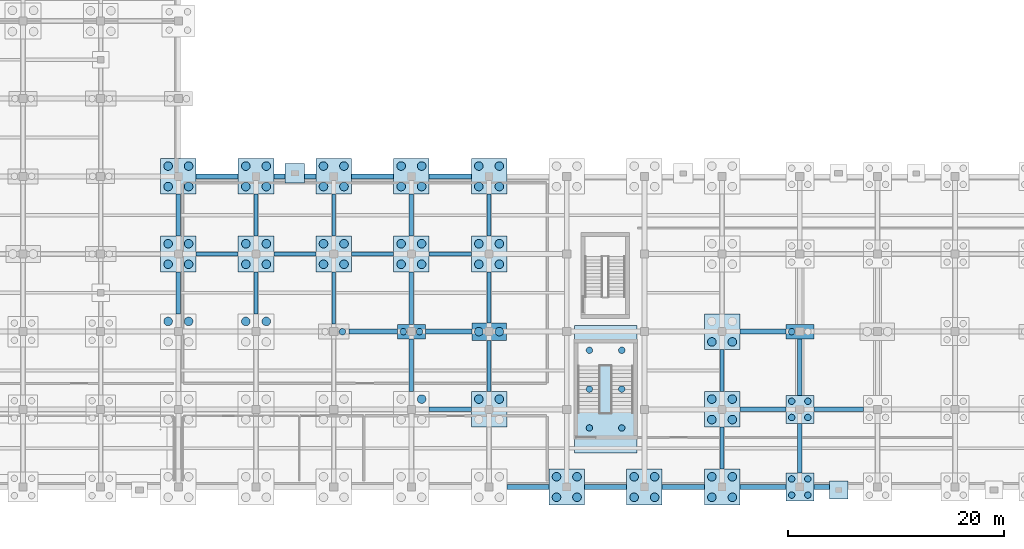
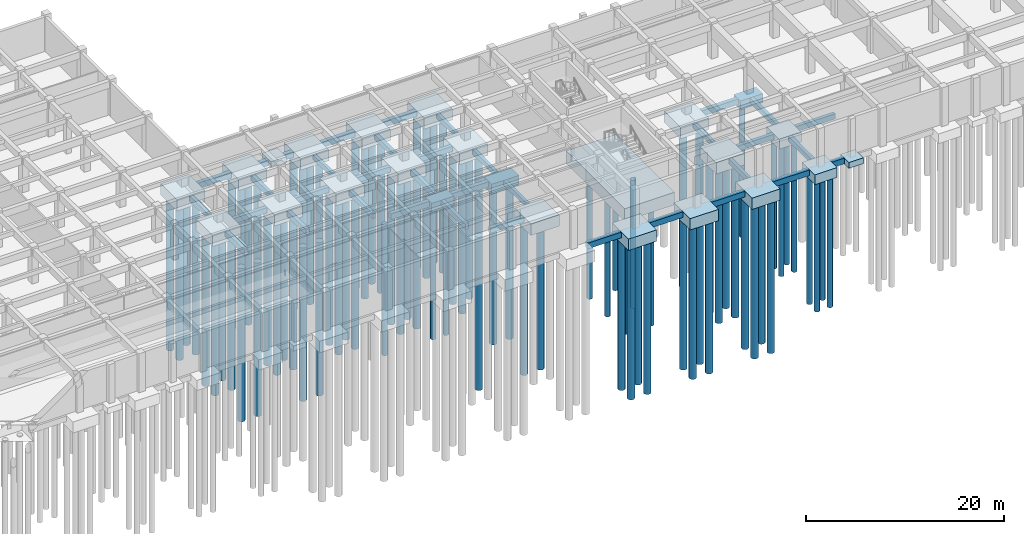
# One storey, part 5 of 28: 85 piles, 60 footings.
"""IFC4 building model written with IfcOpenShell, lengths in metres."""

from ifc_helpers import new_model, si_unit, direction, frame, origin, origin_2d, place, context, subcontext, project, spatial, rectangle, circle, extrude, material, material_profile, profile_set, type_object, element, save


model = new_model("IFC4")

# Units and contexts
model_context = context("Model", 3, precision=1e-05, world=origin(), true_north=direction((0.0, 1.0)))
body_context = subcontext(model_context, "Body", "Model", "MODEL_VIEW")
ifc_project = project(units=[si_unit("LENGTHUNIT", "METRE"), si_unit("AREAUNIT", "SQUARE_METRE"), si_unit("VOLUMEUNIT", "CUBIC_METRE"), si_unit("PLANEANGLEUNIT", "RADIAN"), si_unit("MASSUNIT", "GRAM", prefix="KILO")], contexts=[model_context])

# Site, building, storey
site_placement = place(None, origin())
site = spatial("IfcSite", under=ifc_project, at=site_placement, CompositionType="ELEMENT")
building_placement = place(site_placement, origin())
building = spatial("IfcBuilding", under=site, at=building_placement, Name="Alvorim Cloister Faculty of Sciences", CompositionType="ELEMENT")
storey_placement = place(building_placement, frame((0.0, 0.0, -4.5)))
storey = spatial("IfcBuildingStorey", under=building, at=storey_placement, Name="B01", CompositionType="ELEMENT", Elevation=-4.5)

# Footings
ifc_material_1 = material(Name="Concrete C40", Category="concrete")
footing_type_1 = type_object("IfcFootingType", Name="FT-PAD-1700x1700x720", PredefinedType="PAD_FOOTING", material=ifc_material_1)
footing_1_placement = place(storey_placement, frame((126.0, -0.280029296875, -1.0), z_axis=(0.0, 0.0, 1.0), x_axis=(1.0, 0.0, 0.0)))
element("IfcFooting", 1, at=footing_1_placement, inside=storey, type_object=footing_type_1, Name="Buttress Pad Footing FT-0522", PredefinedType="PAD_FOOTING", context=body_context, shape_type="SweptSolid", body=[
    extrude(rectangle(XDim=1.699951171875, YDim=1.699951171875, at=origin_2d()), origin(), (0.0, 0.0, 1.0), 0.719970703125),
])
footing_type_2 = type_object("IfcFootingType", Name="FT-PAD-1800x1800x750", PredefinedType="PAD_FOOTING", material=ifc_material_1)
footing_2_placement = place(storey_placement, frame((75.60009765625, 29.080078125, -1.050048828125), z_axis=(0.0, 0.0, 1.0), x_axis=(1.0, 0.0, 0.0)))
element("IfcFooting", 2, at=footing_2_placement, inside=storey, type_object=footing_type_2, Name="Buttress Pad Footing FT-0525", PredefinedType="PAD_FOOTING", context=body_context, shape_type="SweptSolid", body=[
    extrude(rectangle(XDim=1.800048828125, YDim=1.800048828125, at=origin_2d()), origin(), (0.0, 0.0, 1.0), 0.75),
])
footing_type_3 = type_object("IfcFootingType", Name="FT-PC-2600x1350x1100", PredefinedType="PILE_CAP", material=ifc_material_1)
for number, where, z_axis, x_axis, name in (
    (3, (86.39990234375, 14.39990234375, -1.400146484375), (0.0, 0.0, 1.0), (1.0, 0.0, 0.0), "B01 Pile Cap FT-0142"),
    (4, (122.39990234375, 14.39990234375, -1.380126953125), (0.0, 0.0, 1.0), (1.0, 0.0, 0.0), "B01 Pile Cap FT-0167"),
):
    element("IfcFooting", number, at=place(storey_placement, frame(where, z_axis=z_axis, x_axis=x_axis)), inside=storey, type_object=footing_type_3, Name=name, PredefinedType="PILE_CAP", context=body_context, shape_type="SweptSolid", body=[
        extrude(rectangle(XDim=2.60009765625, YDim=1.35009765625, at=origin_2d()), origin(), (0.0, 0.0, 1.0), 1.10009765625),
    ])
footing_type_4 = type_object("IfcFootingType", Name="FT-PC-2600x2600x1200", PredefinedType="PILE_CAP", material=ifc_material_1)
for number, where, z_axis, x_axis, name in (
    (5, (122.39990234375, 0.0, -1.47998046875), (0.0, 0.0, 1.0), (1.0, 0.0, 0.0), "B01 Pile Cap FT-0165"),
    (6, (122.39990234375, 7.199951171875, -1.47998046875), (0.0, 0.0, 1.0), (1.0, 0.0, 0.0), "B01 Pile Cap FT-0166"),
):
    element("IfcFooting", number, at=place(storey_placement, frame(where, z_axis=z_axis, x_axis=x_axis)), inside=storey, type_object=footing_type_4, Name=name, PredefinedType="PILE_CAP", context=body_context, shape_type="SweptSolid", body=[
        extrude(rectangle(XDim=2.60009765625, YDim=2.60009765625, at=origin_2d()), origin(), (0.0, 0.0, 1.0), 1.199951171875),
    ])
footing_type_5 = type_object("IfcFootingType", Name="FT-PC-3200x1600x1200", PredefinedType="PILE_CAP", material=ifc_material_1)
footing_3_placement = place(storey_placement, frame((93.60009765625, 14.39990234375, -1.5), z_axis=(0.0, 0.0, 1.0), x_axis=(1.0, 0.0, 0.0)))
element("IfcFooting", 7, at=footing_3_placement, inside=storey, type_object=footing_type_5, Name="B01 Pile Cap FT-0147", PredefinedType="PILE_CAP", context=body_context, shape_type="SweptSolid", body=[
    extrude(rectangle(XDim=3.199951171875, YDim=1.60009765625, at=origin_2d()), origin(), (0.0, 0.0, 1.0), 1.199951171875),
])
footing_type_6 = type_object("IfcFootingType", Name="FT-PC-3300x3300x1400", PredefinedType="PILE_CAP", material=ifc_material_1)
for number, where, z_axis, x_axis, name in (
    (8, (64.800048828125, 21.60009765625, -1.699951171875), (0.0, 0.0, 1.0), (1.0, 0.0, 0.0), "B01 Pile Cap FT-0124"),
    (9, (64.800048828125, 28.800048828125, -1.699951171875), (0.0, 0.0, 1.0), (1.0, 0.0, 0.0), "B01 Pile Cap FT-0125"),
    (10, (72.0, 21.60009765625, -1.699951171875), (0.0, 0.0, 1.0), (1.0, 0.0, 0.0), "B01 Pile Cap FT-0133"),
    (11, (72.0, 28.800048828125, -1.699951171875), (0.0, 0.0, 1.0), (1.0, 0.0, 0.0), "B01 Pile Cap FT-0134"),
    (12, (79.199951171875, 21.60009765625, -1.699951171875), (0.0, 0.0, 1.0), (1.0, 0.0, 0.0), "B01 Pile Cap FT-0138"),
    (13, (79.199951171875, 28.800048828125, -1.699951171875), (0.0, 0.0, 1.0), (1.0, 0.0, 0.0), "B01 Pile Cap FT-0139"),
    (14, (86.39990234375, 21.60009765625, -1.699951171875), (0.0, 0.0, 1.0), (1.0, 0.0, 0.0), "B01 Pile Cap FT-0143"),
    (15, (86.39990234375, 28.800048828125, -1.699951171875), (0.0, 0.0, 1.0), (1.0, 0.0, 0.0), "B01 Pile Cap FT-0144"),
    (16, (93.60009765625, 7.199951171875, -1.699951171875), (0.0, 0.0, 1.0), (1.0, 0.0, 0.0), "B01 Pile Cap FT-0146"),
    (17, (93.60009765625, 21.60009765625, -1.699951171875), (0.0, 0.0, 1.0), (1.0, 0.0, 0.0), "B01 Pile Cap FT-0148"),
    (18, (93.60009765625, 28.800048828125, -1.699951171875), (0.0, 0.0, 1.0), (1.0, 0.0, 0.0), "B01 Pile Cap FT-0149"),
    (19, (100.800048828125, 0.0, -1.699951171875), (0.0, 0.0, 1.0), (1.0, 0.0, 0.0), "B01 Pile Cap FT-0150"),
    (20, (108.0, 0.0, -1.699951171875), (0.0, 0.0, 1.0), (1.0, 0.0, 0.0), "B01 Pile Cap FT-0155"),
    (21, (115.199951171875, 0.0, -1.699951171875), (0.0, 0.0, 1.0), (1.0, 0.0, 0.0), "B01 Pile Cap FT-0160"),
    (22, (115.199951171875, 7.199951171875, -1.699951171875), (0.0, 0.0, 1.0), (1.0, 0.0, 0.0), "B01 Pile Cap FT-0161"),
    (23, (115.199951171875, 14.39990234375, -1.699951171875), (0.0, 0.0, 1.0), (1.0, 0.0, 0.0), "B01 Pile Cap FT-0162"),
):
    element("IfcFooting", number, at=place(storey_placement, frame(where, z_axis=z_axis, x_axis=x_axis)), inside=storey, type_object=footing_type_6, Name=name, PredefinedType="PILE_CAP", context=body_context, shape_type="SweptSolid", body=[
        extrude(rectangle(XDim=3.300048828125, YDim=3.300048828125, at=origin_2d()), origin(), (0.0, 0.0, 1.0), 1.39990234375),
    ])
footing_type_7 = type_object("IfcFootingType", Name="FT-PC-5800x11800x1550", PredefinedType="PILE_CAP", material=ifc_material_1)
footing_4_placement = place(storey_placement, frame((104.39990234375, 9.074951171875, -1.85009765625), z_axis=(0.0, 0.0, 1.0), x_axis=(1.0, 0.0, 0.0)))
element("IfcFooting", 24, at=footing_4_placement, inside=storey, type_object=footing_type_7, Name="B01 Pile Cap FT-0206", PredefinedType="PILE_CAP", context=body_context, shape_type="SweptSolid", body=[
    extrude(rectangle(XDim=5.800048828125, YDim=11.800048828125, at=origin_2d()), origin(), (0.0, 0.0, 1.0), 1.550048828125),
])
footing_type_8 = type_object("IfcFootingType", Name="FT-TB-350x600", PredefinedType="FOOTING_BEAM", material=ifc_material_1)
footing_5_placement = place(storey_placement, frame((79.199951171875, 17.52490234375, -0.900146484375), z_axis=(0.0, 0.0, 1.0), x_axis=(1.0, 0.0, 0.0)))
element("IfcFooting", 25, at=footing_5_placement, inside=storey, type_object=footing_type_8, Name="Ground Tie Beam FT-0404", PredefinedType="FOOTING_BEAM", context=body_context, shape_type="SweptSolid", body=[
    extrude(rectangle(XDim=0.35009765625, YDim=4.85009765625, at=origin_2d()), origin(), (0.0, 0.0, 1.0), 0.60009765625),
])
footing_6_placement = place(storey_placement, frame((79.199951171875, 25.199951171875, -0.900146484375), z_axis=(0.0, 0.0, 1.0), x_axis=(1.0, 0.0, 0.0)))
element("IfcFooting", 26, at=footing_6_placement, inside=storey, type_object=footing_type_8, Name="Ground Tie Beam FT-0406", PredefinedType="FOOTING_BEAM", context=body_context, shape_type="SweptSolid", body=[
    extrude(rectangle(XDim=0.35009765625, YDim=3.89990234375, at=origin_2d()), origin(), (0.0, 0.0, 1.0), 0.60009765625),
])
for number, where, z_axis, x_axis, name in (
    (27, (93.60009765625, 11.22509765625, -0.900146484375), (0.0, 0.0, 1.0), (1.0, 0.0, 0.0), "Ground Tie Beam FT-0420"),
    (28, (93.60009765625, 17.574951171875, -0.900146484375), (0.0, 0.0, 1.0), (1.0, 0.0, 0.0), "Ground Tie Beam FT-0421"),
):
    element("IfcFooting", number, at=place(storey_placement, frame(where, z_axis=z_axis, x_axis=x_axis)), inside=storey, type_object=footing_type_8, Name=name, PredefinedType="FOOTING_BEAM", context=body_context, shape_type="SweptSolid", body=[
        extrude(rectangle(XDim=0.35009765625, YDim=4.75, at=origin_2d()), origin(), (0.0, 0.0, 1.0), 0.60009765625),
    ])
for number, where, z_axis, x_axis, name in (
    (29, (93.60009765625, 25.199951171875, -0.900146484375), (0.0, 0.0, 1.0), (1.0, 0.0, 0.0), "Ground Tie Beam FT-0422"),
    (30, (115.199951171875, 3.60009765625, -0.900146484375), (0.0, 0.0, 1.0), (1.0, 0.0, 0.0), "Ground Tie Beam FT-0429"),
    (31, (115.199951171875, 10.800048828125, -0.900146484375), (0.0, 0.0, 1.0), (1.0, 0.0, 0.0), "Ground Tie Beam FT-0431"),
):
    element("IfcFooting", number, at=place(storey_placement, frame(where, z_axis=z_axis, x_axis=x_axis)), inside=storey, type_object=footing_type_8, Name=name, PredefinedType="FOOTING_BEAM", context=body_context, shape_type="SweptSolid", body=[
        extrude(rectangle(XDim=0.35009765625, YDim=3.89990234375, at=origin_2d()), origin(), (0.0, 0.0, 1.0), 0.60009765625),
    ])
footing_type_9 = type_object("IfcFootingType", Name="FT-TB-400x650", PredefinedType="FOOTING_BEAM", material=ifc_material_1)
for number, where, z_axis, x_axis, name in (
    (32, (64.800048828125, 18.0, -0.949951171875), (0.0, 0.0, 1.0), (1.0, 0.0, 0.0), "Ground Tie Beam FT-0381"),
    (33, (64.800048828125, 25.199951171875, -0.949951171875), (0.0, 0.0, 1.0), (1.0, 0.0, 0.0), "Ground Tie Beam FT-0383"),
):
    element("IfcFooting", number, at=place(storey_placement, frame(where, z_axis=z_axis, x_axis=x_axis)), inside=storey, type_object=footing_type_9, Name=name, PredefinedType="FOOTING_BEAM", context=body_context, shape_type="SweptSolid", body=[
        extrude(rectangle(XDim=0.39990234375, YDim=3.89990234375, at=origin_2d()), origin(), (0.0, 0.0, 1.0), 0.64990234375),
    ])
footing_7_placement = place(storey_placement, frame((68.39990234375, 21.60009765625, -0.949951171875), z_axis=(0.0, 0.0, 1.0), x_axis=(1.0, 0.0, 0.0)))
element("IfcFooting", 34, at=footing_7_placement, inside=storey, type_object=footing_type_9, Name="Ground Tie Beam FT-0384", PredefinedType="FOOTING_BEAM", context=body_context, shape_type="SweptSolid", body=[
    extrude(rectangle(XDim=3.89990234375, YDim=0.39990234375, at=origin_2d()), origin(), (0.0, 0.0, 1.0), 0.64990234375),
])
for number, where, z_axis, x_axis, name in (
    (35, (72.0, 18.0, -0.949951171875), (0.0, 0.0, 1.0), (1.0, 0.0, 0.0), "Ground Tie Beam FT-0394"),
    (36, (72.0, 25.199951171875, -0.949951171875), (0.0, 0.0, 1.0), (1.0, 0.0, 0.0), "Ground Tie Beam FT-0396"),
):
    element("IfcFooting", number, at=place(storey_placement, frame(where, z_axis=z_axis, x_axis=x_axis)), inside=storey, type_object=footing_type_9, Name=name, PredefinedType="FOOTING_BEAM", context=body_context, shape_type="SweptSolid", body=[
        extrude(rectangle(XDim=0.39990234375, YDim=3.89990234375, at=origin_2d()), origin(), (0.0, 0.0, 1.0), 0.64990234375),
    ])
for number, where, z_axis, x_axis, name in (
    (37, (75.60009765625, 21.60009765625, -0.949951171875), (0.0, 0.0, 1.0), (1.0, 0.0, 0.0), "Ground Tie Beam FT-0397"),
    (38, (82.800048828125, 21.60009765625, -0.949951171875), (0.0, 0.0, 1.0), (1.0, 0.0, 0.0), "Ground Tie Beam FT-0407"),
):
    element("IfcFooting", number, at=place(storey_placement, frame(where, z_axis=z_axis, x_axis=x_axis)), inside=storey, type_object=footing_type_9, Name=name, PredefinedType="FOOTING_BEAM", context=body_context, shape_type="SweptSolid", body=[
        extrude(rectangle(XDim=3.89990234375, YDim=0.39990234375, at=origin_2d()), origin(), (0.0, 0.0, 1.0), 0.64990234375),
    ])
footing_8_placement = place(storey_placement, frame((86.39990234375, 11.28759765625, -0.949951171875), z_axis=(0.0, 0.0, 1.0), x_axis=(1.0, 0.0, 0.0)))
element("IfcFooting", 39, at=footing_8_placement, inside=storey, type_object=footing_type_9, Name="Ground Tie Beam FT-0411", PredefinedType="FOOTING_BEAM", context=body_context, shape_type="SweptSolid", body=[
    extrude(rectangle(XDim=0.39990234375, YDim=4.875, at=origin_2d()), origin(), (0.0, 0.0, 1.0), 0.64990234375),
])
footing_9_placement = place(storey_placement, frame((90.0, 7.199951171875, -0.949951171875), z_axis=(0.0, 0.0, 1.0), x_axis=(1.0, 0.0, 0.0)))
element("IfcFooting", 40, at=footing_9_placement, inside=storey, type_object=footing_type_9, Name="Ground Tie Beam FT-0412", PredefinedType="FOOTING_BEAM", context=body_context, shape_type="SweptSolid", body=[
    extrude(rectangle(XDim=3.89990234375, YDim=0.39990234375, at=origin_2d()), origin(), (0.0, 0.0, 1.0), 0.64990234375),
])
footing_10_placement = place(storey_placement, frame((86.39990234375, 17.512451171875, -0.949951171875), z_axis=(0.0, 0.0, 1.0), x_axis=(1.0, 0.0, 0.0)))
element("IfcFooting", 41, at=footing_10_placement, inside=storey, type_object=footing_type_9, Name="Ground Tie Beam FT-0413", PredefinedType="FOOTING_BEAM", context=body_context, shape_type="SweptSolid", body=[
    extrude(rectangle(XDim=0.39990234375, YDim=4.875, at=origin_2d()), origin(), (0.0, 0.0, 1.0), 0.64990234375),
])
footing_11_placement = place(storey_placement, frame((86.39990234375, 25.199951171875, -0.949951171875), z_axis=(0.0, 0.0, 1.0), x_axis=(1.0, 0.0, 0.0)))
element("IfcFooting", 42, at=footing_11_placement, inside=storey, type_object=footing_type_9, Name="Ground Tie Beam FT-0415", PredefinedType="FOOTING_BEAM", context=body_context, shape_type="SweptSolid", body=[
    extrude(rectangle(XDim=0.39990234375, YDim=3.89990234375, at=origin_2d()), origin(), (0.0, 0.0, 1.0), 0.64990234375),
])
footing_12_placement = place(storey_placement, frame((90.0, 21.60009765625, -0.949951171875), z_axis=(0.0, 0.0, 1.0), x_axis=(1.0, 0.0, 0.0)))
element("IfcFooting", 43, at=footing_12_placement, inside=storey, type_object=footing_type_9, Name="Ground Tie Beam FT-0416", PredefinedType="FOOTING_BEAM", context=body_context, shape_type="SweptSolid", body=[
    extrude(rectangle(XDim=3.89990234375, YDim=0.39990234375, at=origin_2d()), origin(), (0.0, 0.0, 1.0), 0.64990234375),
])
footing_13_placement = place(storey_placement, frame((118.97509765625, 7.199951171875, -0.949951171875), z_axis=(0.0, 0.0, 1.0), x_axis=(1.0, 0.0, 0.0)))
element("IfcFooting", 44, at=footing_13_placement, inside=storey, type_object=footing_type_9, Name="Ground Tie Beam FT-0432", PredefinedType="FOOTING_BEAM", context=body_context, shape_type="SweptSolid", body=[
    extrude(rectangle(XDim=4.25, YDim=0.39990234375, at=origin_2d()), origin(), (0.0, 0.0, 1.0), 0.64990234375),
])
footing_14_placement = place(storey_placement, frame((122.39990234375, 3.60009765625, -0.929931640625), z_axis=(0.0, 0.0, 1.0), x_axis=(1.0, 0.0, 0.0)))
element("IfcFooting", 45, at=footing_14_placement, inside=storey, type_object=footing_type_9, Name="Ground Tie Beam FT-0438", PredefinedType="FOOTING_BEAM", context=body_context, shape_type="SweptSolid", body=[
    extrude(rectangle(XDim=0.39990234375, YDim=4.60009765625, at=origin_2d()), origin(), (0.0, 0.0, 1.0), 0.64990234375),
])
footing_15_placement = place(storey_placement, frame((122.39990234375, 11.112548828125, -0.929931640625), z_axis=(0.0, 0.0, 1.0), x_axis=(1.0, 0.0, 0.0)))
element("IfcFooting", 46, at=footing_15_placement, inside=storey, type_object=footing_type_9, Name="Ground Tie Beam FT-0441", PredefinedType="FOOTING_BEAM", context=body_context, shape_type="SweptSolid", body=[
    extrude(rectangle(XDim=0.39990234375, YDim=5.22509765625, at=origin_2d()), origin(), (0.0, 0.0, 1.0), 0.64990234375),
])
footing_16_placement = place(storey_placement, frame((126.0, 7.199951171875, -0.929931640625), z_axis=(0.0, 0.0, 1.0), x_axis=(1.0, 0.0, 0.0)))
element("IfcFooting", 47, at=footing_16_placement, inside=storey, type_object=footing_type_9, Name="Ground Tie Beam FT-0442", PredefinedType="FOOTING_BEAM", context=body_context, shape_type="SweptSolid", body=[
    extrude(rectangle(XDim=4.60009765625, YDim=0.39990234375, at=origin_2d()), origin(), (0.0, 0.0, 1.0), 0.64990234375),
])
footing_type_10 = type_object("IfcFootingType", Name="FT-TB-450x700", PredefinedType="FOOTING_BEAM", material=ifc_material_1)
footing_17_placement = place(storey_placement, frame((68.39990234375, 28.800048828125, -1.0), z_axis=(0.0, 0.0, 1.0), x_axis=(1.0, 0.0, 0.0)))
element("IfcFooting", 48, at=footing_17_placement, inside=storey, type_object=footing_type_10, Name="Ground Tie Beam FT-0386", PredefinedType="FOOTING_BEAM", context=body_context, shape_type="SweptSolid", body=[
    extrude(rectangle(XDim=3.89990234375, YDim=0.449951171875, at=origin_2d()), origin(), (0.0, 0.0, 1.0), 0.699951171875),
])
for number, where, z_axis, x_axis, name in (
    (49, (74.175048828125, 28.800048828125, -1.0), (0.0, 0.0, 1.0), (1.0, 0.0, 0.0), "Ground Tie Beam FT-0398"),
    (50, (77.02490234375, 28.800048828125, -1.0), (0.0, 0.0, 1.0), (1.0, 0.0, 0.0), "Ground Tie Beam FT-0399"),
):
    element("IfcFooting", number, at=place(storey_placement, frame(where, z_axis=z_axis, x_axis=x_axis)), inside=storey, type_object=footing_type_10, Name=name, PredefinedType="FOOTING_BEAM", context=body_context, shape_type="SweptSolid", body=[
        extrude(rectangle(XDim=1.050048828125, YDim=0.449951171875, at=origin_2d()), origin(), (0.0, 0.0, 1.0), 0.699951171875),
    ])
footing_18_placement = place(storey_placement, frame((82.85009765625, 14.39990234375, -1.0), z_axis=(0.0, 0.0, 1.0), x_axis=(1.0, 0.0, 0.0)))
element("IfcFooting", 51, at=footing_18_placement, inside=storey, type_object=footing_type_10, Name="Ground Tie Beam FT-0405", PredefinedType="FOOTING_BEAM", context=body_context, shape_type="SweptSolid", body=[
    extrude(rectangle(XDim=4.5, YDim=0.449951171875, at=origin_2d()), origin(), (0.0, 0.0, 1.0), 0.699951171875),
])
footing_19_placement = place(storey_placement, frame((82.800048828125, 28.800048828125, -1.0), z_axis=(0.0, 0.0, 1.0), x_axis=(1.0, 0.0, 0.0)))
element("IfcFooting", 52, at=footing_19_placement, inside=storey, type_object=footing_type_10, Name="Ground Tie Beam FT-0408", PredefinedType="FOOTING_BEAM", context=body_context, shape_type="SweptSolid", body=[
    extrude(rectangle(XDim=3.89990234375, YDim=0.449951171875, at=origin_2d()), origin(), (0.0, 0.0, 1.0), 0.699951171875),
])
footing_20_placement = place(storey_placement, frame((89.85009765625, 14.39990234375, -1.0), z_axis=(0.0, 0.0, 1.0), x_axis=(1.0, 0.0, 0.0)))
element("IfcFooting", 53, at=footing_20_placement, inside=storey, type_object=footing_type_10, Name="Ground Tie Beam FT-0414", PredefinedType="FOOTING_BEAM", context=body_context, shape_type="SweptSolid", body=[
    extrude(rectangle(XDim=4.300048828125, YDim=0.449951171875, at=origin_2d()), origin(), (0.0, 0.0, 1.0), 0.699951171875),
])
for number, where, z_axis, x_axis, name in (
    (54, (90.0, 28.800048828125, -1.0), (0.0, 0.0, 1.0), (1.0, 0.0, 0.0), "Ground Tie Beam FT-0417"),
    (55, (97.199951171875, 0.0, -1.0), (0.0, 0.0, 1.0), (1.0, 0.0, 0.0), "Ground Tie Beam FT-0419"),
    (56, (104.39990234375, 0.0, -1.0), (0.0, 0.0, 1.0), (1.0, 0.0, 0.0), "Ground Tie Beam FT-0424"),
    (57, (111.60009765625, 0.0, -1.0), (0.0, 0.0, 1.0), (1.0, 0.0, 0.0), "Ground Tie Beam FT-0426"),
):
    element("IfcFooting", number, at=place(storey_placement, frame(where, z_axis=z_axis, x_axis=x_axis)), inside=storey, type_object=footing_type_10, Name=name, PredefinedType="FOOTING_BEAM", context=body_context, shape_type="SweptSolid", body=[
        extrude(rectangle(XDim=3.89990234375, YDim=0.449951171875, at=origin_2d()), origin(), (0.0, 0.0, 1.0), 0.699951171875),
    ])
for number, where, z_axis, x_axis, name in (
    (58, (118.97509765625, 0.0, -1.0), (0.0, 0.0, 1.0), (1.0, 0.0, 0.0), "Ground Tie Beam FT-0430"),
    (59, (118.97509765625, 14.39990234375, -1.0), (0.0, 0.0, 1.0), (1.0, 0.0, 0.0), "Ground Tie Beam FT-0434"),
):
    element("IfcFooting", number, at=place(storey_placement, frame(where, z_axis=z_axis, x_axis=x_axis)), inside=storey, type_object=footing_type_10, Name=name, PredefinedType="FOOTING_BEAM", context=body_context, shape_type="SweptSolid", body=[
        extrude(rectangle(XDim=4.25, YDim=0.449951171875, at=origin_2d()), origin(), (0.0, 0.0, 1.0), 0.699951171875),
    ])
footing_21_placement = place(storey_placement, frame((124.425048828125, 0.0, -0.97998046875), z_axis=(0.0, 0.0, 1.0), x_axis=(1.0, 0.0, 0.0)))
element("IfcFooting", 60, at=footing_21_placement, inside=storey, type_object=footing_type_10, Name="Ground Tie Beam FT-0439", PredefinedType="FOOTING_BEAM", context=body_context, shape_type="SweptSolid", body=[
    extrude(rectangle(XDim=1.449951171875, YDim=0.449951171875, at=origin_2d()), origin(), (0.0, 0.0, 1.0), 0.699951171875),
])

# Piles
ifc_material_2 = material(Name="Concrete C30", Category="concrete")
ifc_material_profile_1 = material_profile(ifc_material_2, circle(Radius=0.300048828125, at=origin_2d()), Name="PILE-D600")
ifc_profile_set_1 = profile_set([ifc_material_profile_1], Name="Concrete C30")
pile_type_1 = type_object("IfcPileType", Name="PL-BORED-D600", PredefinedType="BORED", material=ifc_profile_set_1)
pile_1_placement = place(storey_placement, frame((80.0, 14.39990234375, -1.35009765625), z_axis=(0.0, 0.0, -1.0), x_axis=(1.0, 0.0, 0.0)))
element("IfcPile", 61, at=pile_1_placement, inside=storey, type_object=pile_type_1, Name="Bored Pile PL-0520", PredefinedType="BORED", context=body_context, shape_type="SweptSolid", body=[
    extrude(circle(Radius=0.300048828125, at=origin_2d()), origin(), (0.0, 0.0, 1.0), 16.14990234375),
])
for number, where, z_axis, x_axis, name in (
    (62, (85.64990234375, 14.39990234375, -1.300048828125), (0.0, 0.0, -1.0), (1.0, 0.0, 0.0), "Bored Pile PL-0537"),
    (63, (87.14990234375, 14.39990234375, -1.300048828125), (0.0, 0.0, -1.0), (1.0, 0.0, 0.0), "Bored Pile PL-0538"),
):
    element("IfcPile", number, at=place(storey_placement, frame(where, z_axis=z_axis, x_axis=x_axis)), inside=storey, type_object=pile_type_1, Name=name, PredefinedType="BORED", context=body_context, shape_type="SweptSolid", body=[
        extrude(circle(Radius=0.300048828125, at=origin_2d()), origin(), (0.0, 0.0, 1.0), 16.199951171875),
    ])
for number, where, z_axis, x_axis, name in (
    (64, (121.64990234375, -0.75, -1.3798828125), (0.0, 0.0, -1.0), (1.0, 0.0, 0.0), "Bored Pile PL-0623"),
    (65, (123.14990234375, -0.75, -1.3798828125), (0.0, 0.0, -1.0), (1.0, 0.0, 0.0), "Bored Pile PL-0624"),
    (66, (121.64990234375, 0.75, -1.3798828125), (0.0, 0.0, -1.0), (1.0, 0.0, 0.0), "Bored Pile PL-0625"),
    (67, (123.14990234375, 0.75, -1.3798828125), (0.0, 0.0, -1.0), (1.0, 0.0, 0.0), "Bored Pile PL-0626"),
    (68, (121.64990234375, 6.449951171875, -1.3798828125), (0.0, 0.0, -1.0), (1.0, 0.0, 0.0), "Bored Pile PL-0627"),
    (69, (123.14990234375, 6.449951171875, -1.3798828125), (0.0, 0.0, -1.0), (1.0, 0.0, 0.0), "Bored Pile PL-0628"),
    (70, (121.64990234375, 7.949951171875, -1.3798828125), (0.0, 0.0, -1.0), (1.0, 0.0, 0.0), "Bored Pile PL-0629"),
    (71, (123.14990234375, 7.949951171875, -1.3798828125), (0.0, 0.0, -1.0), (1.0, 0.0, 0.0), "Bored Pile PL-0630"),
):
    element("IfcPile", number, at=place(storey_placement, frame(where, z_axis=z_axis, x_axis=x_axis)), inside=storey, type_object=pile_type_1, Name=name, PredefinedType="BORED", context=body_context, shape_type="SweptSolid", body=[
        extrude(circle(Radius=0.300048828125, at=origin_2d()), origin(), (0.0, 0.0, 1.0), 16.1201171875),
    ])
pile_2_placement = place(storey_placement, frame((121.64990234375, 14.39990234375, -1.280029296875), z_axis=(0.0, 0.0, -1.0), x_axis=(1.0, 0.0, 0.0)))
element("IfcPile", 72, at=pile_2_placement, inside=storey, type_object=pile_type_1, Name="Bored Pile PL-0631", PredefinedType="BORED", context=body_context, shape_type="SweptSolid", body=[
    extrude(circle(Radius=0.300048828125, at=origin_2d()), origin(), (0.0, 0.0, 1.0), 16.219970703125),
])
for number, where, z_axis, x_axis, name in (
    (73, (102.89990234375, 5.47509765625, -1.75), (0.0, 0.0, -1.0), (1.0, 0.0, 0.0), "Bored Pile PL-0789"),
    (74, (105.89990234375, 5.47509765625, -1.75), (0.0, 0.0, -1.0), (1.0, 0.0, 0.0), "Bored Pile PL-0790"),
    (75, (102.89990234375, 9.074951171875, -1.75), (0.0, 0.0, -1.0), (1.0, 0.0, 0.0), "Bored Pile PL-0791"),
    (76, (105.89990234375, 9.074951171875, -1.75), (0.0, 0.0, -1.0), (1.0, 0.0, 0.0), "Bored Pile PL-0792"),
    (77, (102.89990234375, 12.675048828125, -1.75), (0.0, 0.0, -1.0), (1.0, 0.0, 0.0), "Bored Pile PL-0793"),
    (78, (105.89990234375, 12.675048828125, -1.75), (0.0, 0.0, -1.0), (1.0, 0.0, 0.0), "Bored Pile PL-0794"),
):
    element("IfcPile", number, at=place(storey_placement, frame(where, z_axis=z_axis, x_axis=x_axis)), inside=storey, type_object=pile_type_1, Name=name, PredefinedType="BORED", context=body_context, shape_type="SweptSolid", body=[
        extrude(circle(Radius=0.300048828125, at=origin_2d()), origin(), (0.0, 0.0, 1.0), 15.75),
    ])
ifc_material_profile_2 = material_profile(ifc_material_2, circle(Radius=0.39990234375, at=origin_2d()), Name="PILE-D800")
ifc_profile_set_2 = profile_set([ifc_material_profile_2], Name="Concrete C30")
pile_type_2 = type_object("IfcPileType", Name="PL-BORED-D800", PredefinedType="BORED", material=ifc_profile_set_2)
for number, where, z_axis, x_axis, name in (
    (79, (63.85009765625, 15.35009765625, -1.60009765625), (0.0, 0.0, -1.0), (1.0, 0.0, 0.0), "Bored Pile PL-0467"),
    (80, (65.75, 15.35009765625, -1.60009765625), (0.0, 0.0, -1.0), (1.0, 0.0, 0.0), "Bored Pile PL-0468"),
    (81, (63.85009765625, 20.64990234375, -1.60009765625), (0.0, 0.0, -1.0), (1.0, 0.0, 0.0), "Bored Pile PL-0469"),
    (82, (65.75, 20.64990234375, -1.60009765625), (0.0, 0.0, -1.0), (1.0, 0.0, 0.0), "Bored Pile PL-0470"),
    (83, (63.85009765625, 22.550048828125, -1.60009765625), (0.0, 0.0, -1.0), (1.0, 0.0, 0.0), "Bored Pile PL-0471"),
    (84, (65.75, 22.550048828125, -1.60009765625), (0.0, 0.0, -1.0), (1.0, 0.0, 0.0), "Bored Pile PL-0472"),
    (85, (63.85009765625, 27.85009765625, -1.60009765625), (0.0, 0.0, -1.0), (1.0, 0.0, 0.0), "Bored Pile PL-0473"),
    (86, (65.75, 27.85009765625, -1.60009765625), (0.0, 0.0, -1.0), (1.0, 0.0, 0.0), "Bored Pile PL-0474"),
    (87, (63.85009765625, 29.75, -1.60009765625), (0.0, 0.0, -1.0), (1.0, 0.0, 0.0), "Bored Pile PL-0475"),
    (88, (65.75, 29.75, -1.60009765625), (0.0, 0.0, -1.0), (1.0, 0.0, 0.0), "Bored Pile PL-0476"),
    (89, (71.050048828125, 15.35009765625, -1.60009765625), (0.0, 0.0, -1.0), (1.0, 0.0, 0.0), "Bored Pile PL-0501"),
    (90, (72.949951171875, 15.35009765625, -1.60009765625), (0.0, 0.0, -1.0), (1.0, 0.0, 0.0), "Bored Pile PL-0502"),
    (91, (71.050048828125, 20.64990234375, -1.60009765625), (0.0, 0.0, -1.0), (1.0, 0.0, 0.0), "Bored Pile PL-0503"),
    (92, (72.949951171875, 20.64990234375, -1.60009765625), (0.0, 0.0, -1.0), (1.0, 0.0, 0.0), "Bored Pile PL-0504"),
    (93, (71.050048828125, 22.550048828125, -1.60009765625), (0.0, 0.0, -1.0), (1.0, 0.0, 0.0), "Bored Pile PL-0505"),
    (94, (72.949951171875, 22.550048828125, -1.60009765625), (0.0, 0.0, -1.0), (1.0, 0.0, 0.0), "Bored Pile PL-0506"),
    (95, (71.050048828125, 27.85009765625, -1.60009765625), (0.0, 0.0, -1.0), (1.0, 0.0, 0.0), "Bored Pile PL-0507"),
    (96, (72.949951171875, 27.85009765625, -1.60009765625), (0.0, 0.0, -1.0), (1.0, 0.0, 0.0), "Bored Pile PL-0508"),
    (97, (71.050048828125, 29.75, -1.60009765625), (0.0, 0.0, -1.0), (1.0, 0.0, 0.0), "Bored Pile PL-0509"),
    (98, (72.949951171875, 29.75, -1.60009765625), (0.0, 0.0, -1.0), (1.0, 0.0, 0.0), "Bored Pile PL-0510"),
    (99, (78.25, 20.64990234375, -1.60009765625), (0.0, 0.0, -1.0), (1.0, 0.0, 0.0), "Bored Pile PL-0521"),
    (100, (80.14990234375, 20.64990234375, -1.60009765625), (0.0, 0.0, -1.0), (1.0, 0.0, 0.0), "Bored Pile PL-0522"),
    (101, (78.25, 22.550048828125, -1.60009765625), (0.0, 0.0, -1.0), (1.0, 0.0, 0.0), "Bored Pile PL-0523"),
    (102, (80.14990234375, 22.550048828125, -1.60009765625), (0.0, 0.0, -1.0), (1.0, 0.0, 0.0), "Bored Pile PL-0524"),
    (103, (78.25, 27.85009765625, -1.60009765625), (0.0, 0.0, -1.0), (1.0, 0.0, 0.0), "Bored Pile PL-0525"),
    (104, (80.14990234375, 27.85009765625, -1.60009765625), (0.0, 0.0, -1.0), (1.0, 0.0, 0.0), "Bored Pile PL-0526"),
    (105, (78.25, 29.75, -1.60009765625), (0.0, 0.0, -1.0), (1.0, 0.0, 0.0), "Bored Pile PL-0527"),
    (106, (80.14990234375, 29.75, -1.60009765625), (0.0, 0.0, -1.0), (1.0, 0.0, 0.0), "Bored Pile PL-0528"),
    (107, (87.35009765625, 8.14990234375, -1.60009765625), (0.0, 0.0, -1.0), (1.0, 0.0, 0.0), "Bored Pile PL-0536"),
    (108, (85.449951171875, 20.64990234375, -1.60009765625), (0.0, 0.0, -1.0), (1.0, 0.0, 0.0), "Bored Pile PL-0539"),
    (109, (87.35009765625, 20.64990234375, -1.60009765625), (0.0, 0.0, -1.0), (1.0, 0.0, 0.0), "Bored Pile PL-0540"),
    (110, (85.449951171875, 22.550048828125, -1.60009765625), (0.0, 0.0, -1.0), (1.0, 0.0, 0.0), "Bored Pile PL-0541"),
    (111, (87.35009765625, 22.550048828125, -1.60009765625), (0.0, 0.0, -1.0), (1.0, 0.0, 0.0), "Bored Pile PL-0542"),
    (112, (85.449951171875, 27.85009765625, -1.60009765625), (0.0, 0.0, -1.0), (1.0, 0.0, 0.0), "Bored Pile PL-0543"),
    (113, (87.35009765625, 27.85009765625, -1.60009765625), (0.0, 0.0, -1.0), (1.0, 0.0, 0.0), "Bored Pile PL-0544"),
    (114, (85.449951171875, 29.75, -1.60009765625), (0.0, 0.0, -1.0), (1.0, 0.0, 0.0), "Bored Pile PL-0545"),
    (115, (87.35009765625, 29.75, -1.60009765625), (0.0, 0.0, -1.0), (1.0, 0.0, 0.0), "Bored Pile PL-0546"),
    (116, (92.64990234375, 8.14990234375, -1.60009765625), (0.0, 0.0, -1.0), (1.0, 0.0, 0.0), "Bored Pile PL-0553"),
    (117, (94.550048828125, 8.14990234375, -1.60009765625), (0.0, 0.0, -1.0), (1.0, 0.0, 0.0), "Bored Pile PL-0554"),
):
    element("IfcPile", number, at=place(storey_placement, frame(where, z_axis=z_axis, x_axis=x_axis)), inside=storey, type_object=pile_type_2, Name=name, PredefinedType="BORED", context=body_context, shape_type="SweptSolid", body=[
        extrude(circle(Radius=0.39990234375, at=origin_2d()), origin(), (0.0, 0.0, 1.0), 18.89990234375),
    ])
for number, where, z_axis, x_axis, name in (
    (118, (92.64990234375, 14.39990234375, -1.39990234375), (0.0, 0.0, -1.0), (1.0, 0.0, 0.0), "Bored Pile PL-0555"),
    (119, (94.550048828125, 14.39990234375, -1.39990234375), (0.0, 0.0, -1.0), (1.0, 0.0, 0.0), "Bored Pile PL-0556"),
):
    element("IfcPile", number, at=place(storey_placement, frame(where, z_axis=z_axis, x_axis=x_axis)), inside=storey, type_object=pile_type_2, Name=name, PredefinedType="BORED", context=body_context, shape_type="SweptSolid", body=[
        extrude(circle(Radius=0.39990234375, at=origin_2d()), origin(), (0.0, 0.0, 1.0), 19.10009765625),
    ])
for number, where, z_axis, x_axis, name in (
    (120, (92.64990234375, 20.64990234375, -1.60009765625), (0.0, 0.0, -1.0), (1.0, 0.0, 0.0), "Bored Pile PL-0557"),
    (121, (94.550048828125, 20.64990234375, -1.60009765625), (0.0, 0.0, -1.0), (1.0, 0.0, 0.0), "Bored Pile PL-0558"),
    (122, (92.64990234375, 22.550048828125, -1.60009765625), (0.0, 0.0, -1.0), (1.0, 0.0, 0.0), "Bored Pile PL-0559"),
    (123, (94.550048828125, 22.550048828125, -1.60009765625), (0.0, 0.0, -1.0), (1.0, 0.0, 0.0), "Bored Pile PL-0560"),
    (124, (92.64990234375, 27.85009765625, -1.60009765625), (0.0, 0.0, -1.0), (1.0, 0.0, 0.0), "Bored Pile PL-0561"),
    (125, (94.550048828125, 27.85009765625, -1.60009765625), (0.0, 0.0, -1.0), (1.0, 0.0, 0.0), "Bored Pile PL-0562"),
    (126, (92.64990234375, 29.75, -1.60009765625), (0.0, 0.0, -1.0), (1.0, 0.0, 0.0), "Bored Pile PL-0563"),
    (127, (94.550048828125, 29.75, -1.60009765625), (0.0, 0.0, -1.0), (1.0, 0.0, 0.0), "Bored Pile PL-0564"),
    (128, (99.85009765625, -0.949951171875, -1.60009765625), (0.0, 0.0, -1.0), (1.0, 0.0, 0.0), "Bored Pile PL-0565"),
    (129, (101.75, -0.949951171875, -1.60009765625), (0.0, 0.0, -1.0), (1.0, 0.0, 0.0), "Bored Pile PL-0566"),
    (130, (99.85009765625, 0.949951171875, -1.60009765625), (0.0, 0.0, -1.0), (1.0, 0.0, 0.0), "Bored Pile PL-0567"),
    (131, (101.75, 0.949951171875, -1.60009765625), (0.0, 0.0, -1.0), (1.0, 0.0, 0.0), "Bored Pile PL-0568"),
    (132, (107.050048828125, -0.949951171875, -1.60009765625), (0.0, 0.0, -1.0), (1.0, 0.0, 0.0), "Bored Pile PL-0583"),
    (133, (108.949951171875, -0.949951171875, -1.60009765625), (0.0, 0.0, -1.0), (1.0, 0.0, 0.0), "Bored Pile PL-0584"),
    (134, (107.050048828125, 0.949951171875, -1.60009765625), (0.0, 0.0, -1.0), (1.0, 0.0, 0.0), "Bored Pile PL-0585"),
    (135, (108.949951171875, 0.949951171875, -1.60009765625), (0.0, 0.0, -1.0), (1.0, 0.0, 0.0), "Bored Pile PL-0586"),
    (136, (114.25, -0.949951171875, -1.60009765625), (0.0, 0.0, -1.0), (1.0, 0.0, 0.0), "Bored Pile PL-0603"),
    (137, (116.14990234375, -0.949951171875, -1.60009765625), (0.0, 0.0, -1.0), (1.0, 0.0, 0.0), "Bored Pile PL-0604"),
    (138, (114.25, 0.949951171875, -1.60009765625), (0.0, 0.0, -1.0), (1.0, 0.0, 0.0), "Bored Pile PL-0605"),
    (139, (116.14990234375, 0.949951171875, -1.60009765625), (0.0, 0.0, -1.0), (1.0, 0.0, 0.0), "Bored Pile PL-0606"),
    (140, (114.25, 6.25, -1.60009765625), (0.0, 0.0, -1.0), (1.0, 0.0, 0.0), "Bored Pile PL-0607"),
    (141, (116.14990234375, 6.25, -1.60009765625), (0.0, 0.0, -1.0), (1.0, 0.0, 0.0), "Bored Pile PL-0608"),
    (142, (114.25, 8.14990234375, -1.60009765625), (0.0, 0.0, -1.0), (1.0, 0.0, 0.0), "Bored Pile PL-0609"),
    (143, (116.14990234375, 8.14990234375, -1.60009765625), (0.0, 0.0, -1.0), (1.0, 0.0, 0.0), "Bored Pile PL-0610"),
    (144, (114.25, 13.449951171875, -1.60009765625), (0.0, 0.0, -1.0), (1.0, 0.0, 0.0), "Bored Pile PL-0611"),
    (145, (116.14990234375, 13.449951171875, -1.60009765625), (0.0, 0.0, -1.0), (1.0, 0.0, 0.0), "Bored Pile PL-0612"),
):
    element("IfcPile", number, at=place(storey_placement, frame(where, z_axis=z_axis, x_axis=x_axis)), inside=storey, type_object=pile_type_2, Name=name, PredefinedType="BORED", context=body_context, shape_type="SweptSolid", body=[
        extrude(circle(Radius=0.39990234375, at=origin_2d()), origin(), (0.0, 0.0, 1.0), 18.89990234375),
    ])

save(model, "model.ifc")
